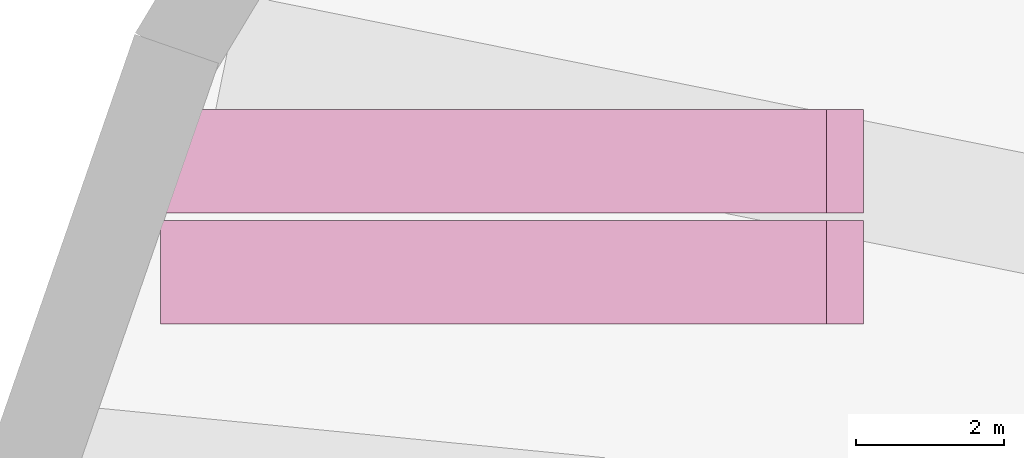
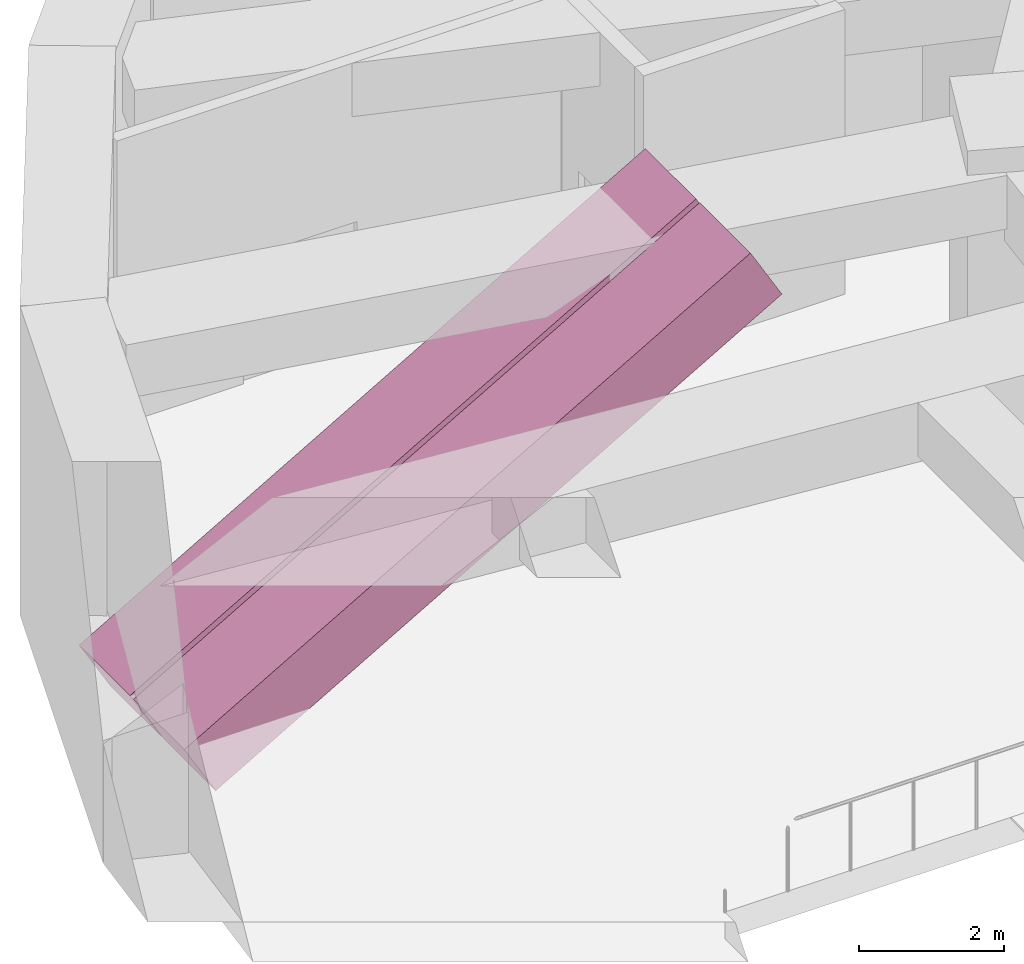
# One storey, part 14 of 14: 2 transport elements.
"""IFC4 building model written with IfcOpenShell, lengths in metres."""

from ifc_helpers import new_model, si_unit, direction, frame, origin, place, context, subcontext, project, spatial, polyline, outline, extrude, material, type_object, element, save


model = new_model("IFC4")

# Units and contexts
model_context = context("Model", 3, precision=1e-05, world=origin(), true_north=direction((0.0, 1.0)))
body_context = subcontext(model_context, "Body", "Model", "MODEL_VIEW")
ifc_project = project(units=[si_unit("LENGTHUNIT", "METRE"), si_unit("AREAUNIT", "SQUARE_METRE"), si_unit("VOLUMEUNIT", "CUBIC_METRE"), si_unit("PLANEANGLEUNIT", "RADIAN"), si_unit("MASSUNIT", "GRAM", prefix="KILO")], contexts=[model_context])

# Site, building, storey
site_placement = place(None, origin())
site = spatial("IfcSite", under=ifc_project, at=site_placement, CompositionType="ELEMENT")
building_placement = place(site_placement, origin())
building = spatial("IfcBuilding", under=site, at=building_placement, Name="Taillehof Tower", CompositionType="ELEMENT")
storey_placement = place(building_placement, frame((0.0, 0.0, -5.199951171875)))
storey = spatial("IfcBuildingStorey", under=building, at=storey_placement, Name="B1", CompositionType="ELEMENT", Elevation=-5.199951171875)

# Transport elements
ifc_material = material(Name="Stainless steel escalator truss", Category="steel")
transport_element_type = type_object("IfcTransportElementType", Name="Escalator 1000 mm", PredefinedType="ESCALATOR", material=ifc_material)
for number, where, z_axis, x_axis, name in (
    (1, (-41.0, 7.699951171875, 0.0), (-0.499999493275, 0.0, 0.866025696342), (0.866025696342, 0.0, 0.499999493275), "Escalator EC1"),
    (2, (-41.0, 9.199951171875, 0.0), (-0.499999493275, 0.0, 0.866025696342), (0.866025696342, 0.0, 0.499999493275), "Escalator EC2"),
):
    element("IfcTransportElement", number, at=place(storey_placement, frame(where, z_axis=z_axis, x_axis=x_axis)), inside=storey, type_object=transport_element_type, Name=name, PredefinedType="ESCALATOR", context=body_context, shape_type="SweptSolid", body=[
        extrude(outline(polyline([(0.0, 0.0), (10.399912883549565, 0.0), (10.399912883549565, 1.400146484375), (0.0, 1.400146484375), (0.0, 0.0)])), origin(), (0.0, 0.0, -1.0), 1.0),
    ])

save(model, "model.ifc")
